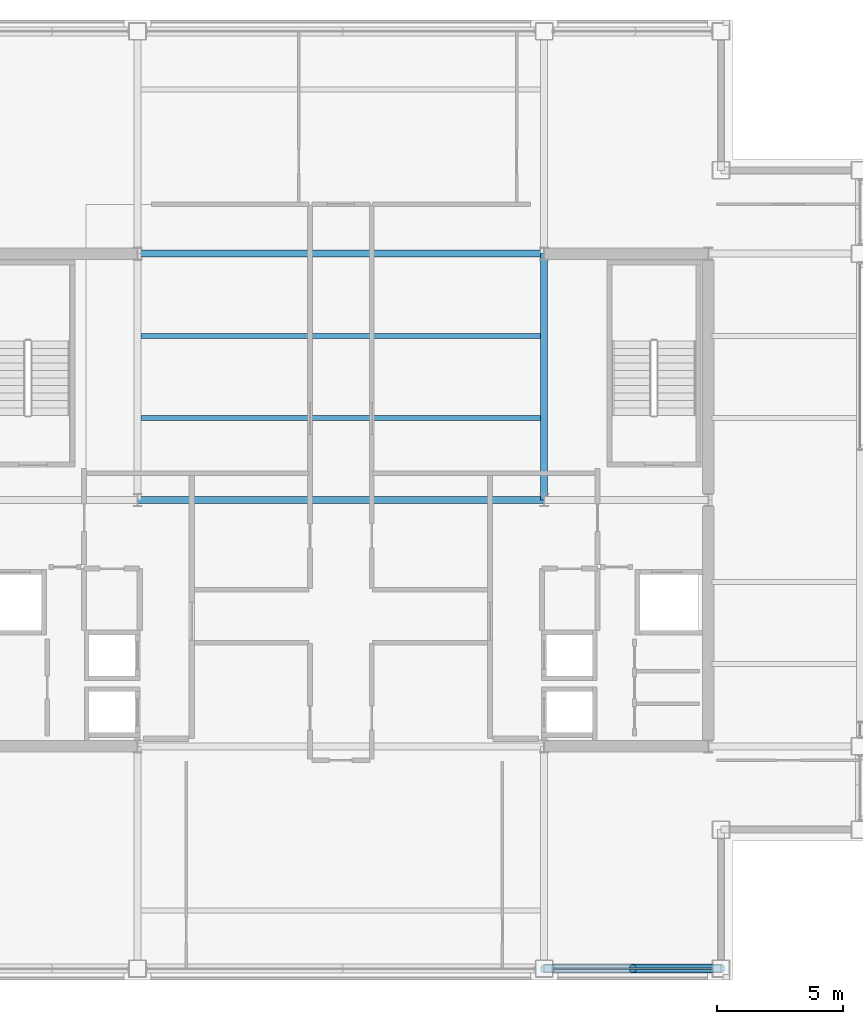
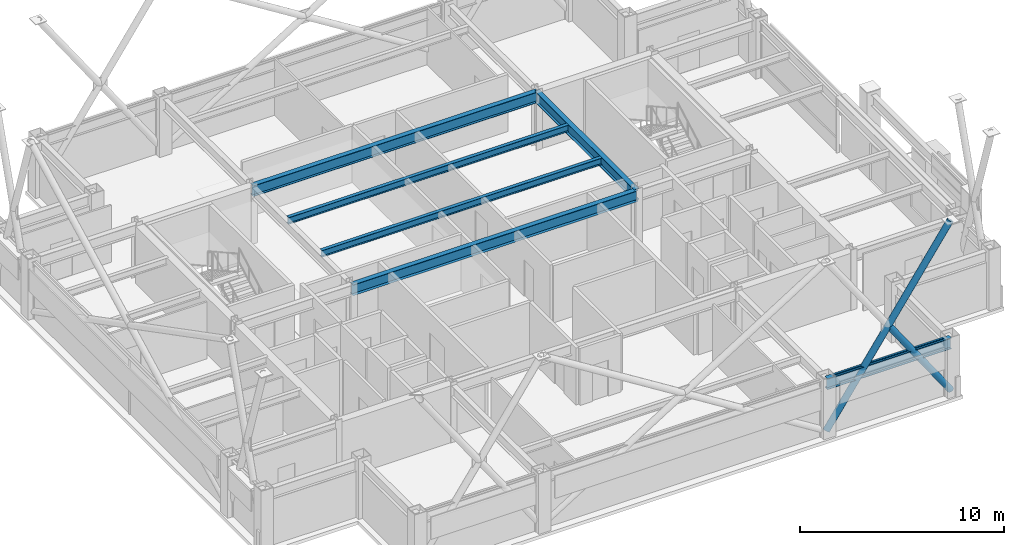
# One storey, part 13 of 33: 6 beams, 3 members, 1 element without a shape of its own.
"""IFC4 building model written with IfcOpenShell, lengths in metres."""

from ifc_helpers import new_model, si_unit, direction, frame, origin, origin_2d, place, context, subcontext, project, spatial, hollow_rectangle, hollow_circle, i_section, extrude, material, layer, layer_set, material_profile, profile_set, type_object, element, aggregate, save


model = new_model("IFC4")

# Units and contexts
model_context = context("Model", 3, precision=1e-05, world=origin(), true_north=direction((0.0, 1.0)))
body_context = subcontext(model_context, "Body", "Model", "MODEL_VIEW")
ifc_project = project(units=[si_unit("LENGTHUNIT", "METRE"), si_unit("AREAUNIT", "SQUARE_METRE"), si_unit("VOLUMEUNIT", "CUBIC_METRE"), si_unit("PLANEANGLEUNIT", "RADIAN"), si_unit("MASSUNIT", "GRAM", prefix="KILO")], contexts=[model_context])

# Site, building, storey
site_placement = place(None, origin())
site = spatial("IfcSite", under=ifc_project, at=site_placement, CompositionType="ELEMENT")
building_placement = place(site_placement, origin())
building = spatial("IfcBuilding", under=site, at=building_placement, Name="Brelmoor Portico Tower", CompositionType="ELEMENT")
storey_placement = place(building_placement, frame((0.0, 0.0, 183.89990234375)))
storey = spatial("IfcBuildingStorey", under=building, at=storey_placement, Name="L48", CompositionType="ELEMENT", Elevation=183.89990234375)

# Beams
ifc_material_1 = material(Name="Steel Q355B", Category="steel")
ifc_material_profile_1 = material_profile(ifc_material_1, i_section(OverallWidth=0.199951171875, OverallDepth=0.39990234375, WebThickness=0.008056640625, FlangeThickness=0.012939453125, at=origin_2d()), Name="HN 400x200x8x13")
ifc_profile_set_1 = profile_set([ifc_material_profile_1], Name="Steel Q355B")
beam_type_1 = type_object("IfcBeamType", Name="BM-JS-400", PredefinedType="JOIST", material=ifc_profile_set_1)
for number, where, z_axis, x_axis, name in (
    (1, (-7.909912109375, 3.25, 3.2001953125), (1.0, 0.0, 0.0), (0.0, 1.0, 0.0), "L48 Secondary Composite Joist JS-C02"),
    (2, (-7.909912109375, 6.5, 3.2001953125), (1.0, 0.0, 0.0), (0.0, 1.0, 0.0), "L48 Secondary Composite Joist JS-C03"),
):
    element("IfcBeam", number, at=place(storey_placement, frame(where, z_axis=z_axis, x_axis=x_axis)), inside=storey, type_object=beam_type_1, Name=name, PredefinedType="JOIST", context=body_context, shape_type="SweptSolid", body=[
        extrude(i_section(OverallWidth=0.199951171875, OverallDepth=0.39990234375, WebThickness=0.008056640625, FlangeThickness=0.012939453125, at=origin_2d()), origin(), (0.0, 0.0, 1.0), 15.81982421875),
    ])
ifc_material_profile_2 = material_profile(ifc_material_1, i_section(OverallWidth=0.280029296875, OverallDepth=0.64990234375, WebThickness=0.012939453125, FlangeThickness=0.02197265625, at=origin_2d()), Name="HN 650x280x13x22")
ifc_profile_set_2 = profile_set([ifc_material_profile_2], Name="Steel Q355B")
beam_type_2 = type_object("IfcBeamType", Name="BM-PG-650", PredefinedType="BEAM", material=ifc_profile_set_2)
beam_1_placement = place(storey_placement, frame((8.050048828125, 0.0, 3.0751953125), z_axis=(0.0, 1.0, 0.0), x_axis=(-1.0, 0.0, 0.0)))
element("IfcBeam", 3, at=beam_1_placement, inside=storey, type_object=beam_type_2, Name="L48 Primary Floor Girder PG-07", PredefinedType="BEAM", context=body_context, shape_type="SweptSolid", body=[
    extrude(i_section(OverallWidth=0.280029296875, OverallDepth=0.64990234375, WebThickness=0.012939453125, FlangeThickness=0.02197265625, at=origin_2d()), origin(), (0.0, 0.0, 1.0), 9.75),
])
for number, where, z_axis, x_axis, name in (
    (4, (-8.050048828125, 0.0, 3.0751953125), (1.0, 0.0, 0.0), (0.0, 1.0, 0.0), "L48 Primary Floor Girder PG-17"),
    (5, (-8.050048828125, 9.75, 3.0751953125), (1.0, 0.0, 0.0), (0.0, 1.0, 0.0), "L48 Primary Floor Girder PG-21"),
):
    element("IfcBeam", number, at=place(storey_placement, frame(where, z_axis=z_axis, x_axis=x_axis)), inside=storey, type_object=beam_type_2, Name=name, PredefinedType="BEAM", context=body_context, shape_type="SweptSolid", body=[
        extrude(i_section(OverallWidth=0.280029296875, OverallDepth=0.64990234375, WebThickness=0.012939453125, FlangeThickness=0.02197265625, at=origin_2d()), origin(), (0.0, 0.0, 1.0), 16.10009765625),
    ])
ifc_material_profile_3 = material_profile(ifc_material_1, i_section(OverallWidth=0.280029296875, OverallDepth=0.64990234375, WebThickness=0.012939453125, FlangeThickness=0.02197265625, at=origin_2d()), Name="HN 650x280x13x22")
ifc_profile_set_3 = profile_set([ifc_material_profile_3], Name="Steel Q355B")
beam_type_3 = type_object("IfcBeamType", Name="BM-SP-650", PredefinedType="SPANDREL", material=ifc_profile_set_3)
beam_2_placement = place(storey_placement, frame((8.050048828125, -18.550048828125, 3.0751953125), z_axis=(1.0, 0.0, 0.0), x_axis=(0.0, 1.0, 0.0)))
element("IfcBeam", 6, at=beam_2_placement, inside=storey, type_object=beam_type_3, Name="L48 Perimeter Spandrel Beam SP-03", PredefinedType="SPANDREL", context=body_context, shape_type="SweptSolid", body=[
    extrude(i_section(OverallWidth=0.280029296875, OverallDepth=0.64990234375, WebThickness=0.012939453125, FlangeThickness=0.02197265625, at=origin_2d()), origin(), (0.0, 0.0, 1.0), 7.0),
])

# Members
ifc_material_profile_4 = material_profile(ifc_material_1, hollow_circle(Radius=0.177978515625, WallThickness=0.01611328125, at=origin_2d()), Name="CHS 356x16")
ifc_profile_set_4 = profile_set([ifc_material_profile_4], Name="Steel Q355B")
member_type_1 = type_object("IfcMemberType", Name="MB-BELT-DIAG2", PredefinedType="BRACE", material=ifc_profile_set_4)
member_1_placement = place(storey_placement, frame((8.050048828125, -18.550048828125, 0.25), z_axis=(0.569629338867, 0.0, 0.821901707203), x_axis=(0.0, 1.0, 0.0)))
element("IfcMember", 7, at=member_1_placement, inside=storey, type_object=member_type_1, Name="L48 Continuous Mega-X Brace 107A", PredefinedType="BRACE", context=body_context, shape_type="SweptSolid", body=[
    extrude(hollow_circle(Radius=0.177978515625, WallThickness=0.01611328125, at=origin_2d()), origin(), (0.0, 0.0, 1.0), 12.28857421875),
])
member_2_placement = place(storey_placement, frame((15.050048828125, -18.550048828125, 0.25), z_axis=(-0.569629338867, 0.0, 0.821901707203), x_axis=(0.0, -1.0, 0.0)))
element("IfcMember", 8, at=member_2_placement, inside=storey, type_object=member_type_1, Name="L48 Split Mega-X Brace 107B1", PredefinedType="BRACE", context=body_context, shape_type="SweptSolid", body=[
    extrude(hollow_circle(Radius=0.177978515625, WallThickness=0.01611328125, at=origin_2d()), origin(), (0.0, 0.0, 1.0), 6.144287109375),
])

# Curtain wall, member
ifc_material_2 = material(Name="Anodised Aluminium Alloy 6063-T6", Category="aluminium")
ifc_layer = layer(ifc_material_2, 0.179931640625)
ifc_layer_set = layer_set([ifc_layer], Name="Anodised Aluminium Alloy 6063-T6")
curtain_wall_type = type_object("IfcCurtainWallType", Name="CW-TOWER-Z3-XB", PredefinedType="NOTDEFINED", material=ifc_layer_set)
curtain_wall_placement = place(storey_placement, origin())
curtain_wall = element("IfcCurtainWall", 9, at=curtain_wall_placement, inside=storey, type_object=curtain_wall_type, Name="L48 Curtain Wall CW-L48-01-3", PredefinedType="NOTDEFINED")
ifc_material_profile_5 = material_profile(ifc_material_2, hollow_rectangle(XDim=0.06005859375, YDim=0.125, WallThickness=0.00341796875, at=origin_2d()), Name="ALU TRANSOM 60x125")
ifc_profile_set_5 = profile_set([ifc_material_profile_5], Name="Anodised Aluminium Alloy 6063-T6")
member_type_2 = type_object("IfcMemberType", Name="MB-CW-TRAN-125", PredefinedType="USERDEFINED", material=ifc_profile_set_5)
member_3_placement = place(storey_placement, frame((8.409912109375, -18.550048828125, 3.337646484375), z_axis=(1.0, 0.0, 0.0), x_axis=(0.0, 1.0, 0.0)))
member_3 = element("IfcMember", 10, at=member_3_placement, type_object=member_type_2, Name="CW-L48-01-3 Transom 1-00", ObjectType="TRANSOM", PredefinedType="USERDEFINED", context=body_context, shape_type="SweptSolid", body=[
    extrude(hollow_rectangle(XDim=0.06005859375, YDim=0.125, WallThickness=0.00341796875, at=origin_2d()), origin(), (0.0, 0.0, 1.0), 6.280029296875),
])
aggregate(curtain_wall, [member_3])

save(model, "model.ifc")
